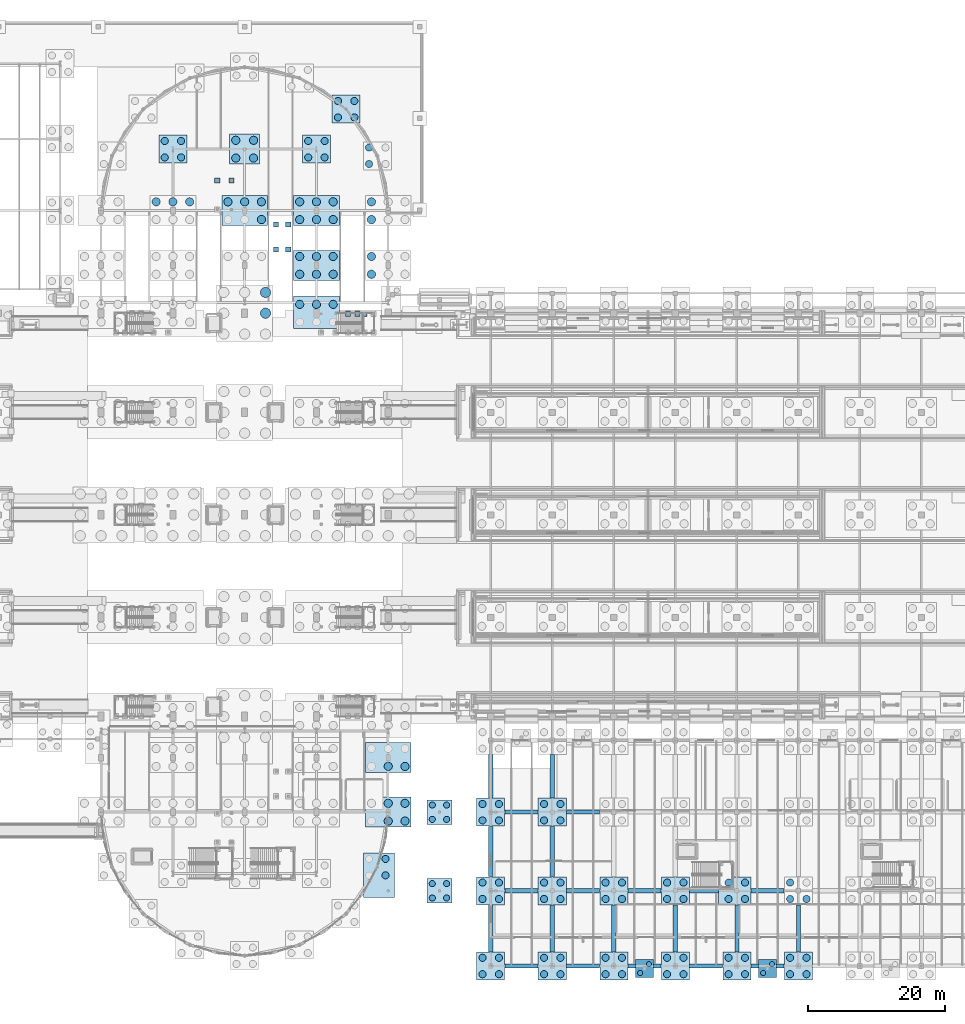
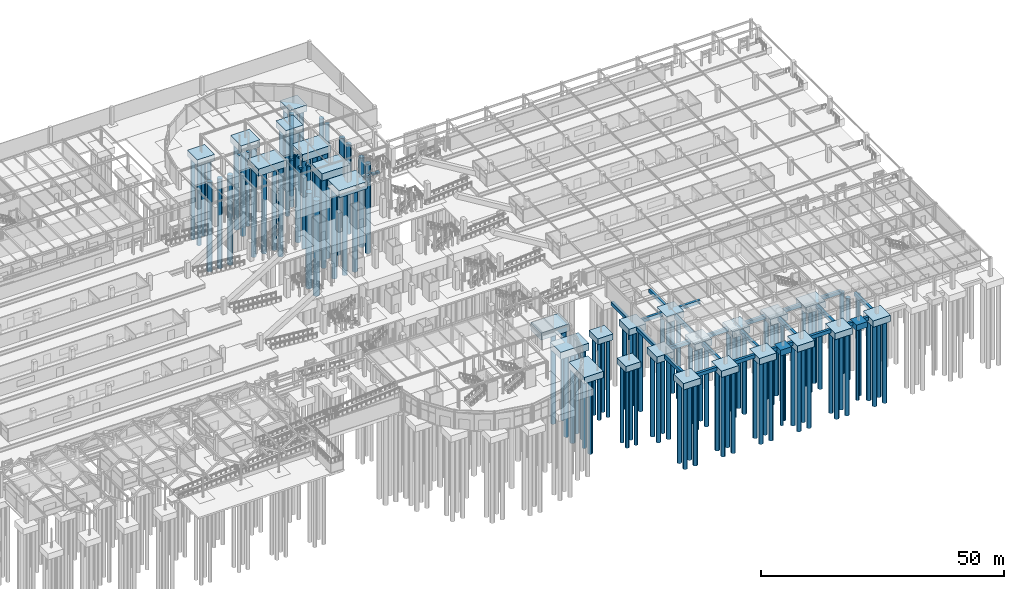
# One storey, part 5 of 160: 121 piles, 61 footings.
"""IFC4 building model written with IfcOpenShell, lengths in metres."""

from ifc_helpers import new_model, si_unit, direction, frame, origin, origin_2d, place, context, subcontext, project, spatial, rectangle, circle, extrude, material, material_profile, profile_set, type_object, element, save


model = new_model("IFC4")

# Units and contexts
model_context = context("Model", 3, precision=1e-05, world=origin(), true_north=direction((0.0, 1.0)))
body_context = subcontext(model_context, "Body", "Model", "MODEL_VIEW")
ifc_project = project(units=[si_unit("LENGTHUNIT", "METRE"), si_unit("AREAUNIT", "SQUARE_METRE"), si_unit("VOLUMEUNIT", "CUBIC_METRE"), si_unit("PLANEANGLEUNIT", "RADIAN"), si_unit("MASSUNIT", "GRAM", prefix="KILO")], contexts=[model_context])

# Site, building, storey
site_placement = place(None, origin())
site = spatial("IfcSite", under=ifc_project, at=site_placement, CompositionType="ELEMENT")
building_placement = place(site_placement, origin())
building = spatial("IfcBuilding", under=site, at=building_placement, Name="Marlcrest Central Station", CompositionType="ELEMENT")
storey_placement = place(building_placement, origin())
storey = spatial("IfcBuildingStorey", under=building, at=storey_placement, Name="L00", CompositionType="ELEMENT", Elevation=0.0)

# Piles
ifc_material_1 = material(Name="Concrete C35/45", Category="concrete")
ifc_material_profile_1 = material_profile(ifc_material_1, circle(Radius=0.375, at=origin_2d()), Name="PILE D750")
ifc_profile_set_1 = profile_set([ifc_material_profile_1], Name="Concrete C35/45")
pile_type_1 = type_object("IfcPileType", Name="BP-01", PredefinedType="BORED", material=ifc_profile_set_1)
for number, where, z_axis, x_axis, name in (
    (1, (165.85009765625, -1.030029296875, -1.300048828125), (0.0, 0.0, -1.0), (1.0, 0.0, 0.0), "pile-BP-01-0317"),
    (2, (167.14990234375, 0.27001953125, -1.300048828125), (0.0, 0.0, -1.0), (1.0, 0.0, 0.0), "pile-BP-01-0318"),
    (3, (183.85009765625, -1.030029296875, -1.300048828125), (0.0, 0.0, -1.0), (1.0, 0.0, 0.0), "pile-BP-01-0319"),
    (4, (185.14990234375, 0.27001953125, -1.300048828125), (0.0, 0.0, -1.0), (1.0, 0.0, 0.0), "pile-BP-01-0320"),
):
    element("IfcPile", number, at=place(storey_placement, frame(where, z_axis=z_axis, x_axis=x_axis)), inside=storey, type_object=pile_type_1, Name=name, PredefinedType="BORED", context=body_context, shape_type="SweptSolid", body=[
        extrude(circle(Radius=0.375, at=origin_2d()), origin(), (0.0, 0.0, 1.0), 18.0),
    ])
ifc_material_profile_2 = material_profile(ifc_material_1, circle(Radius=0.449951171875, at=origin_2d()), Name="PILE D900")
ifc_profile_set_2 = profile_set([ifc_material_profile_2], Name="Concrete C35/45")
pile_type_2 = type_object("IfcPileType", Name="BP-02", PredefinedType="BORED", material=ifc_profile_set_2)
for number, where, z_axis, x_axis, name in (
    (5, (135.449951171875, 9.949951171875, -1.39990234375), (0.0, 0.0, -1.0), (1.0, 0.0, 0.0), "pile-BP-02-1046"),
    (6, (137.550048828125, 9.949951171875, -1.39990234375), (0.0, 0.0, -1.0), (1.0, 0.0, 0.0), "pile-BP-02-1047"),
    (7, (135.449951171875, 12.050048828125, -1.39990234375), (0.0, 0.0, -1.0), (1.0, 0.0, 0.0), "pile-BP-02-1048"),
    (8, (137.550048828125, 12.050048828125, -1.39990234375), (0.0, 0.0, -1.0), (1.0, 0.0, 0.0), "pile-BP-02-1049"),
    (9, (135.449951171875, 21.449951171875, -1.39990234375), (0.0, 0.0, -1.0), (1.0, 0.0, 0.0), "pile-BP-02-1050"),
    (10, (137.550048828125, 21.449951171875, -1.39990234375), (0.0, 0.0, -1.0), (1.0, 0.0, 0.0), "pile-BP-02-1051"),
    (11, (135.449951171875, 23.550048828125, -1.39990234375), (0.0, 0.0, -1.0), (1.0, 0.0, 0.0), "pile-BP-02-1052"),
    (12, (137.550048828125, 23.550048828125, -1.39990234375), (0.0, 0.0, -1.0), (1.0, 0.0, 0.0), "pile-BP-02-1053"),
):
    element("IfcPile", number, at=place(storey_placement, frame(where, z_axis=z_axis, x_axis=x_axis)), inside=storey, type_object=pile_type_2, Name=name, PredefinedType="BORED", context=body_context, shape_type="SweptSolid", body=[
        extrude(circle(Radius=0.449951171875, at=origin_2d()), origin(), (0.0, 0.0, 1.0), 19.5),
    ])
ifc_material_profile_3 = material_profile(ifc_material_1, circle(Radius=0.52490234375, at=origin_2d()), Name="PILE D1050")
ifc_profile_set_3 = profile_set([ifc_material_profile_3], Name="Concrete C35/45")
pile_type_3 = type_object("IfcPileType", Name="BP-03", PredefinedType="BORED", material=ifc_profile_set_3)
for number, where, z_axis, x_axis, name in (
    (13, (142.800048828125, -1.199951171875, -1.5), (0.0, 0.0, -1.0), (1.0, 0.0, 0.0), "pile-BP-03-0169"),
    (14, (145.199951171875, -1.199951171875, -1.5), (0.0, 0.0, -1.0), (1.0, 0.0, 0.0), "pile-BP-03-0170"),
    (15, (142.800048828125, 1.199951171875, -1.5), (0.0, 0.0, -1.0), (1.0, 0.0, 0.0), "pile-BP-03-0171"),
    (16, (145.199951171875, 1.199951171875, -1.5), (0.0, 0.0, -1.0), (1.0, 0.0, 0.0), "pile-BP-03-0172"),
    (17, (142.800048828125, 9.800048828125, -1.5), (0.0, 0.0, -1.0), (1.0, 0.0, 0.0), "pile-BP-03-0173"),
    (18, (145.199951171875, 9.800048828125, -1.5), (0.0, 0.0, -1.0), (1.0, 0.0, 0.0), "pile-BP-03-0174"),
    (19, (142.800048828125, 12.199951171875, -1.5), (0.0, 0.0, -1.0), (1.0, 0.0, 0.0), "pile-BP-03-0175"),
    (20, (145.199951171875, 12.199951171875, -1.5), (0.0, 0.0, -1.0), (1.0, 0.0, 0.0), "pile-BP-03-0176"),
    (21, (142.800048828125, 21.300048828125, -1.5), (0.0, 0.0, -1.0), (1.0, 0.0, 0.0), "pile-BP-03-0177"),
    (22, (145.199951171875, 21.300048828125, -1.5), (0.0, 0.0, -1.0), (1.0, 0.0, 0.0), "pile-BP-03-0178"),
    (23, (142.800048828125, 23.699951171875, -1.5), (0.0, 0.0, -1.0), (1.0, 0.0, 0.0), "pile-BP-03-0179"),
    (24, (145.199951171875, 23.699951171875, -1.5), (0.0, 0.0, -1.0), (1.0, 0.0, 0.0), "pile-BP-03-0180"),
    (25, (151.800048828125, -1.199951171875, -1.5), (0.0, 0.0, -1.0), (1.0, 0.0, 0.0), "pile-BP-03-0185"),
    (26, (154.199951171875, -1.199951171875, -1.5), (0.0, 0.0, -1.0), (1.0, 0.0, 0.0), "pile-BP-03-0186"),
    (27, (151.800048828125, 1.199951171875, -1.5), (0.0, 0.0, -1.0), (1.0, 0.0, 0.0), "pile-BP-03-0187"),
    (28, (154.199951171875, 1.199951171875, -1.5), (0.0, 0.0, -1.0), (1.0, 0.0, 0.0), "pile-BP-03-0188"),
    (29, (151.800048828125, 9.800048828125, -1.5), (0.0, 0.0, -1.0), (1.0, 0.0, 0.0), "pile-BP-03-0189"),
    (30, (154.199951171875, 9.800048828125, -1.5), (0.0, 0.0, -1.0), (1.0, 0.0, 0.0), "pile-BP-03-0190"),
    (31, (151.800048828125, 12.199951171875, -1.5), (0.0, 0.0, -1.0), (1.0, 0.0, 0.0), "pile-BP-03-0191"),
    (32, (154.199951171875, 12.199951171875, -1.5), (0.0, 0.0, -1.0), (1.0, 0.0, 0.0), "pile-BP-03-0192"),
    (33, (151.800048828125, 21.300048828125, -1.5), (0.0, 0.0, -1.0), (1.0, 0.0, 0.0), "pile-BP-03-0193"),
    (34, (154.199951171875, 21.300048828125, -1.5), (0.0, 0.0, -1.0), (1.0, 0.0, 0.0), "pile-BP-03-0194"),
    (35, (151.800048828125, 23.699951171875, -1.5), (0.0, 0.0, -1.0), (1.0, 0.0, 0.0), "pile-BP-03-0195"),
    (36, (154.199951171875, 23.699951171875, -1.5), (0.0, 0.0, -1.0), (1.0, 0.0, 0.0), "pile-BP-03-0196"),
    (37, (160.800048828125, -1.199951171875, -1.5), (0.0, 0.0, -1.0), (1.0, 0.0, 0.0), "pile-BP-03-0201"),
    (38, (163.199951171875, -1.199951171875, -1.5), (0.0, 0.0, -1.0), (1.0, 0.0, 0.0), "pile-BP-03-0202"),
    (39, (160.800048828125, 1.199951171875, -1.5), (0.0, 0.0, -1.0), (1.0, 0.0, 0.0), "pile-BP-03-0203"),
    (40, (163.199951171875, 1.199951171875, -1.5), (0.0, 0.0, -1.0), (1.0, 0.0, 0.0), "pile-BP-03-0204"),
    (41, (160.800048828125, 9.800048828125, -1.5), (0.0, 0.0, -1.0), (1.0, 0.0, 0.0), "pile-BP-03-0205"),
    (42, (163.199951171875, 9.800048828125, -1.5), (0.0, 0.0, -1.0), (1.0, 0.0, 0.0), "pile-BP-03-0206"),
    (43, (160.800048828125, 12.199951171875, -1.5), (0.0, 0.0, -1.0), (1.0, 0.0, 0.0), "pile-BP-03-0207"),
    (44, (163.199951171875, 12.199951171875, -1.5), (0.0, 0.0, -1.0), (1.0, 0.0, 0.0), "pile-BP-03-0208"),
    (45, (169.800048828125, -1.199951171875, -1.5), (0.0, 0.0, -1.0), (1.0, 0.0, 0.0), "pile-BP-03-0217"),
    (46, (172.199951171875, -1.199951171875, -1.5), (0.0, 0.0, -1.0), (1.0, 0.0, 0.0), "pile-BP-03-0218"),
    (47, (169.800048828125, 1.199951171875, -1.5), (0.0, 0.0, -1.0), (1.0, 0.0, 0.0), "pile-BP-03-0219"),
    (48, (172.199951171875, 1.199951171875, -1.5), (0.0, 0.0, -1.0), (1.0, 0.0, 0.0), "pile-BP-03-0220"),
    (49, (169.800048828125, 9.800048828125, -1.5), (0.0, 0.0, -1.0), (1.0, 0.0, 0.0), "pile-BP-03-0221"),
    (50, (172.199951171875, 9.800048828125, -1.5), (0.0, 0.0, -1.0), (1.0, 0.0, 0.0), "pile-BP-03-0222"),
    (51, (169.800048828125, 12.199951171875, -1.5), (0.0, 0.0, -1.0), (1.0, 0.0, 0.0), "pile-BP-03-0223"),
    (52, (172.199951171875, 12.199951171875, -1.5), (0.0, 0.0, -1.0), (1.0, 0.0, 0.0), "pile-BP-03-0224"),
    (53, (178.800048828125, -1.199951171875, -1.5), (0.0, 0.0, -1.0), (1.0, 0.0, 0.0), "pile-BP-03-0233"),
    (54, (181.199951171875, -1.199951171875, -1.5), (0.0, 0.0, -1.0), (1.0, 0.0, 0.0), "pile-BP-03-0234"),
    (55, (178.800048828125, 1.199951171875, -1.5), (0.0, 0.0, -1.0), (1.0, 0.0, 0.0), "pile-BP-03-0235"),
    (56, (181.199951171875, 1.199951171875, -1.5), (0.0, 0.0, -1.0), (1.0, 0.0, 0.0), "pile-BP-03-0236"),
    (57, (178.800048828125, 9.800048828125, -1.5), (0.0, 0.0, -1.0), (1.0, 0.0, 0.0), "pile-BP-03-0237"),
    (58, (181.199951171875, 9.800048828125, -1.5), (0.0, 0.0, -1.0), (1.0, 0.0, 0.0), "pile-BP-03-0238"),
    (59, (178.800048828125, 12.199951171875, -1.5), (0.0, 0.0, -1.0), (1.0, 0.0, 0.0), "pile-BP-03-0239"),
    (60, (181.199951171875, 12.199951171875, -1.5), (0.0, 0.0, -1.0), (1.0, 0.0, 0.0), "pile-BP-03-0240"),
    (61, (187.800048828125, -1.199951171875, -1.5), (0.0, 0.0, -1.0), (1.0, 0.0, 0.0), "pile-BP-03-0249"),
    (62, (190.199951171875, -1.199951171875, -1.5), (0.0, 0.0, -1.0), (1.0, 0.0, 0.0), "pile-BP-03-0250"),
    (63, (187.800048828125, 1.199951171875, -1.5), (0.0, 0.0, -1.0), (1.0, 0.0, 0.0), "pile-BP-03-0251"),
    (64, (190.199951171875, 1.199951171875, -1.5), (0.0, 0.0, -1.0), (1.0, 0.0, 0.0), "pile-BP-03-0252"),
    (65, (187.800048828125, 9.800048828125, -1.5), (0.0, 0.0, -1.0), (1.0, 0.0, 0.0), "pile-BP-03-0253"),
    (66, (190.199951171875, 9.800048828125, -1.5), (0.0, 0.0, -1.0), (1.0, 0.0, 0.0), "pile-BP-03-0254"),
    (67, (187.800048828125, 12.199951171875, -1.5), (0.0, 0.0, -1.0), (1.0, 0.0, 0.0), "pile-BP-03-0255"),
    (68, (128.60107421875, 13.263916015625, -1.5), (0.0, 0.0, -1.0), (1.0, 0.0, 0.0), "pile-BP-03-0991"),
    (69, (128.60107421875, 15.6640625, -1.5), (0.0, 0.0, -1.0), (1.0, 0.0, 0.0), "pile-BP-03-0993"),
    (70, (121.64892578125, 124.14892578125, -1.5), (0.0, 0.0, -1.0), (1.0, 0.0, 0.0), "pile-BP-03-1026"),
    (71, (124.049072265625, 124.14892578125, -1.5), (0.0, 0.0, -1.0), (1.0, 0.0, 0.0), "pile-BP-03-1027"),
    (72, (121.64892578125, 126.549072265625, -1.5), (0.0, 0.0, -1.0), (1.0, 0.0, 0.0), "pile-BP-03-1028"),
    (73, (124.049072265625, 126.549072265625, -1.5), (0.0, 0.0, -1.0), (1.0, 0.0, 0.0), "pile-BP-03-1029"),
    (74, (126.200927734375, 117.3359375, -1.5), (0.0, 0.0, -1.0), (1.0, 0.0, 0.0), "pile-BP-03-1030"),
    (75, (126.200927734375, 119.736083984375, -1.5), (0.0, 0.0, -1.0), (1.0, 0.0, 0.0), "pile-BP-03-1032"),
    (76, (96.300048828125, 118.300048828125, -1.5), (0.0, 0.0, -1.0), (1.0, 0.0, 0.0), "pile-BP-03-1034"),
    (77, (98.699951171875, 118.300048828125, -1.5), (0.0, 0.0, -1.0), (1.0, 0.0, 0.0), "pile-BP-03-1035"),
    (78, (96.300048828125, 120.699951171875, -1.5), (0.0, 0.0, -1.0), (1.0, 0.0, 0.0), "pile-BP-03-1036"),
    (79, (98.699951171875, 120.699951171875, -1.5), (0.0, 0.0, -1.0), (1.0, 0.0, 0.0), "pile-BP-03-1037"),
    (80, (117.300048828125, 118.300048828125, -1.5), (0.0, 0.0, -1.0), (1.0, 0.0, 0.0), "pile-BP-03-1042"),
    (81, (119.699951171875, 118.300048828125, -1.5), (0.0, 0.0, -1.0), (1.0, 0.0, 0.0), "pile-BP-03-1043"),
    (82, (117.300048828125, 120.699951171875, -1.5), (0.0, 0.0, -1.0), (1.0, 0.0, 0.0), "pile-BP-03-1044"),
    (83, (119.699951171875, 120.699951171875, -1.5), (0.0, 0.0, -1.0), (1.0, 0.0, 0.0), "pile-BP-03-1045"),
):
    element("IfcPile", number, at=place(storey_placement, frame(where, z_axis=z_axis, x_axis=x_axis)), inside=storey, type_object=pile_type_3, Name=name, PredefinedType="BORED", context=body_context, shape_type="SweptSolid", body=[
        extrude(circle(Radius=0.52490234375, at=origin_2d()), origin(), (0.0, 0.0, 1.0), 20.5),
    ])
ifc_material_profile_4 = material_profile(ifc_material_1, circle(Radius=0.60009765625, at=origin_2d()), Name="PILE D1200")
ifc_profile_set_4 = profile_set([ifc_material_profile_4], Name="Concrete C35/45")
pile_type_4 = type_object("IfcPileType", Name="BP-04", PredefinedType="BORED", material=ifc_profile_set_4)
for number, where, z_axis, x_axis, name in (
    (84, (116.050048828125, 96.800048828125, -1.699951171875), (0.0, 0.0, -1.0), (1.0, 0.0, 0.0), "pile-BP-04-0834"),
    (85, (118.5, 96.800048828125, -1.699951171875), (0.0, 0.0, -1.0), (1.0, 0.0, 0.0), "pile-BP-04-0835"),
    (86, (120.949951171875, 96.800048828125, -1.699951171875), (0.0, 0.0, -1.0), (1.0, 0.0, 0.0), "pile-BP-04-0836"),
    (87, (129.0, 21.199951171875, -1.699951171875), (0.0, 0.0, -1.0), (1.0, 0.0, 0.0), "pile-BP-04-0888"),
    (88, (131.449951171875, 21.199951171875, -1.699951171875), (0.0, 0.0, -1.0), (1.0, 0.0, 0.0), "pile-BP-04-0889"),
    (89, (129.0, 23.800048828125, -1.699951171875), (0.0, 0.0, -1.0), (1.0, 0.0, 0.0), "pile-BP-04-0891"),
    (90, (131.449951171875, 23.800048828125, -1.699951171875), (0.0, 0.0, -1.0), (1.0, 0.0, 0.0), "pile-BP-04-0892"),
    (91, (129.0, 29.199951171875, -1.699951171875), (0.0, 0.0, -1.0), (1.0, 0.0, 0.0), "pile-BP-04-0906"),
    (92, (131.449951171875, 29.199951171875, -1.699951171875), (0.0, 0.0, -1.0), (1.0, 0.0, 0.0), "pile-BP-04-0907"),
    (93, (116.050048828125, 101.199951171875, -1.699951171875), (0.0, 0.0, -1.0), (1.0, 0.0, 0.0), "pile-BP-04-0926"),
    (94, (118.5, 101.199951171875, -1.699951171875), (0.0, 0.0, -1.0), (1.0, 0.0, 0.0), "pile-BP-04-0927"),
    (95, (120.949951171875, 101.199951171875, -1.699951171875), (0.0, 0.0, -1.0), (1.0, 0.0, 0.0), "pile-BP-04-0928"),
    (96, (116.050048828125, 103.800048828125, -1.699951171875), (0.0, 0.0, -1.0), (1.0, 0.0, 0.0), "pile-BP-04-0929"),
    (97, (118.5, 103.800048828125, -1.699951171875), (0.0, 0.0, -1.0), (1.0, 0.0, 0.0), "pile-BP-04-0930"),
    (98, (120.949951171875, 103.800048828125, -1.699951171875), (0.0, 0.0, -1.0), (1.0, 0.0, 0.0), "pile-BP-04-0931"),
    (99, (126.550048828125, 101.199951171875, -1.699951171875), (0.0, 0.0, -1.0), (1.0, 0.0, 0.0), "pile-BP-04-0932"),
    (100, (126.550048828125, 103.800048828125, -1.699951171875), (0.0, 0.0, -1.0), (1.0, 0.0, 0.0), "pile-BP-04-0935"),
    (101, (95.050048828125, 111.800048828125, -1.699951171875), (0.0, 0.0, -1.0), (1.0, 0.0, 0.0), "pile-BP-04-0945"),
    (102, (97.5, 111.800048828125, -1.699951171875), (0.0, 0.0, -1.0), (1.0, 0.0, 0.0), "pile-BP-04-0946"),
    (103, (99.949951171875, 111.800048828125, -1.699951171875), (0.0, 0.0, -1.0), (1.0, 0.0, 0.0), "pile-BP-04-0947"),
    (104, (110.449951171875, 109.199951171875, -1.699951171875), (0.0, 0.0, -1.0), (1.0, 0.0, 0.0), "pile-BP-04-0950"),
    (105, (105.550048828125, 111.800048828125, -1.699951171875), (0.0, 0.0, -1.0), (1.0, 0.0, 0.0), "pile-BP-04-0951"),
    (106, (108.0, 111.800048828125, -1.699951171875), (0.0, 0.0, -1.0), (1.0, 0.0, 0.0), "pile-BP-04-0952"),
    (107, (110.449951171875, 111.800048828125, -1.699951171875), (0.0, 0.0, -1.0), (1.0, 0.0, 0.0), "pile-BP-04-0953"),
    (108, (116.050048828125, 109.199951171875, -1.699951171875), (0.0, 0.0, -1.0), (1.0, 0.0, 0.0), "pile-BP-04-0954"),
    (109, (118.5, 109.199951171875, -1.699951171875), (0.0, 0.0, -1.0), (1.0, 0.0, 0.0), "pile-BP-04-0955"),
    (110, (120.949951171875, 109.199951171875, -1.699951171875), (0.0, 0.0, -1.0), (1.0, 0.0, 0.0), "pile-BP-04-0956"),
    (111, (116.050048828125, 111.800048828125, -1.699951171875), (0.0, 0.0, -1.0), (1.0, 0.0, 0.0), "pile-BP-04-0957"),
    (112, (118.5, 111.800048828125, -1.699951171875), (0.0, 0.0, -1.0), (1.0, 0.0, 0.0), "pile-BP-04-0958"),
    (113, (120.949951171875, 111.800048828125, -1.699951171875), (0.0, 0.0, -1.0), (1.0, 0.0, 0.0), "pile-BP-04-0959"),
    (114, (126.550048828125, 109.199951171875, -1.699951171875), (0.0, 0.0, -1.0), (1.0, 0.0, 0.0), "pile-BP-04-0960"),
    (115, (126.550048828125, 111.800048828125, -1.699951171875), (0.0, 0.0, -1.0), (1.0, 0.0, 0.0), "pile-BP-04-0963"),
):
    element("IfcPile", number, at=place(storey_placement, frame(where, z_axis=z_axis, x_axis=x_axis)), inside=storey, type_object=pile_type_4, Name=name, PredefinedType="BORED", context=body_context, shape_type="SweptSolid", body=[
        extrude(circle(Radius=0.60009765625, at=origin_2d()), origin(), (0.0, 0.0, 1.0), 22.5),
    ])
for number, where, z_axis, x_axis, name in (
    (116, (106.699951171875, 118.199951171875, -1.699951171875), (0.0, 0.0, -1.0), (1.0, 0.0, 0.0), "pile-BP-04-1038"),
    (117, (109.300048828125, 118.199951171875, -1.699951171875), (0.0, 0.0, -1.0), (1.0, 0.0, 0.0), "pile-BP-04-1039"),
    (118, (106.699951171875, 120.800048828125, -1.699951171875), (0.0, 0.0, -1.0), (1.0, 0.0, 0.0), "pile-BP-04-1040"),
    (119, (109.300048828125, 120.800048828125, -1.699951171875), (0.0, 0.0, -1.0), (1.0, 0.0, 0.0), "pile-BP-04-1041"),
):
    element("IfcPile", number, at=place(storey_placement, frame(where, z_axis=z_axis, x_axis=x_axis)), inside=storey, type_object=pile_type_4, Name=name, PredefinedType="BORED", context=body_context, shape_type="SweptSolid", body=[
        extrude(circle(Radius=0.60009765625, at=origin_2d()), origin(), (0.0, 0.0, 1.0), 21.5),
    ])
ifc_material_profile_5 = material_profile(ifc_material_1, circle(Radius=0.75, at=origin_2d()), Name="PILE D1500")
ifc_profile_set_5 = profile_set([ifc_material_profile_5], Name="Concrete C35/45")
pile_type_5 = type_object("IfcPileType", Name="BP-06", PredefinedType="BORED", material=ifc_profile_set_5)
for number, where, z_axis, x_axis, name in (
    (120, (111.050048828125, 95.5, -1.89990234375), (0.0, 0.0, -1.0), (1.0, 0.0, 0.0), "pile-BP-06-0801"),
    (121, (111.050048828125, 98.550048828125, -1.89990234375), (0.0, 0.0, -1.0), (1.0, 0.0, 0.0), "pile-BP-06-0804"),
):
    element("IfcPile", number, at=place(storey_placement, frame(where, z_axis=z_axis, x_axis=x_axis)), inside=storey, type_object=pile_type_5, Name=name, PredefinedType="BORED", context=body_context, shape_type="SweptSolid", body=[
        extrude(circle(Radius=0.75, at=origin_2d()), origin(), (0.0, 0.0, 1.0), 24.0),
    ])

# Footings
ifc_material_2 = material(Name="Concrete C40/50", Category="concrete")
footing_type_1 = type_object("IfcFootingType", Name="GB-01", PredefinedType="FOOTING_BEAM", material=ifc_material_2)
for number, where, z_axis, x_axis, name in (
    (122, (148.5, 0.0, -0.89990234375), (0.0, 0.0, 1.0), (1.0, 0.0, 0.0), "ftg-gb-0060"),
    (123, (148.5, 11.0, -0.89990234375), (0.0, 0.0, 1.0), (1.0, 0.0, 0.0), "ftg-gb-0061"),
    (124, (148.5, 22.5, -0.89990234375), (0.0, 0.0, 1.0), (1.0, 0.0, 0.0), "ftg-gb-0062"),
    (125, (157.5, 0.0, -0.89990234375), (0.0, 0.0, 1.0), (1.0, 0.0, 0.0), "ftg-gb-0064"),
    (126, (157.5, 11.0, -0.89990234375), (0.0, 0.0, 1.0), (1.0, 0.0, 0.0), "ftg-gb-0065"),
    (127, (157.5, 22.5, -0.89990234375), (0.0, 0.0, 1.0), (1.0, 0.0, 0.0), "ftg-gb-0066"),
):
    element("IfcFooting", number, at=place(storey_placement, frame(where, z_axis=z_axis, x_axis=x_axis)), inside=storey, type_object=footing_type_1, Name=name, PredefinedType="FOOTING_BEAM", context=body_context, shape_type="SweptSolid", body=[
        extrude(rectangle(XDim=4.860107421875, YDim=0.60009765625, at=origin_2d()), origin(), (0.0, 0.0, 1.0), 0.89990234375),
    ])
for number, where, z_axis, x_axis, name in (
    (128, (164.6298828125, 0.0, -0.89990234375), (0.0, 0.0, 1.0), (1.0, 0.0, 0.0), "ftg-gb-0068"),
    (129, (168.3701171875, 0.0, -0.89990234375), (0.0, 0.0, 1.0), (1.0, 0.0, 0.0), "ftg-gb-0068"),
):
    element("IfcFooting", number, at=place(storey_placement, frame(where, z_axis=z_axis, x_axis=x_axis)), inside=storey, type_object=footing_type_1, Name=name, PredefinedType="FOOTING_BEAM", context=body_context, shape_type="SweptSolid", body=[
        extrude(rectangle(XDim=1.1201171875, YDim=0.60009765625, at=origin_2d()), origin(), (0.0, 0.0, 1.0), 0.89990234375),
    ])
for number, where, z_axis, x_axis, name in (
    (130, (166.5, 11.0, -0.89990234375), (0.0, 0.0, 1.0), (1.0, 0.0, 0.0), "ftg-gb-0069"),
    (131, (175.5, 0.0, -0.89990234375), (0.0, 0.0, 1.0), (1.0, 0.0, 0.0), "ftg-gb-0072"),
):
    element("IfcFooting", number, at=place(storey_placement, frame(where, z_axis=z_axis, x_axis=x_axis)), inside=storey, type_object=footing_type_1, Name=name, PredefinedType="FOOTING_BEAM", context=body_context, shape_type="SweptSolid", body=[
        extrude(rectangle(XDim=4.860107421875, YDim=0.60009765625, at=origin_2d()), origin(), (0.0, 0.0, 1.0), 0.89990234375),
    ])
footing_1_placement = place(storey_placement, frame((175.1875, 11.0, -0.89990234375), z_axis=(0.0, 0.0, 1.0), x_axis=(1.0, 0.0, 0.0)))
element("IfcFooting", 132, at=footing_1_placement, inside=storey, type_object=footing_type_1, Name="ftg-gb-0073", PredefinedType="FOOTING_BEAM", context=body_context, shape_type="SweptSolid", body=[
    extrude(rectangle(XDim=4.235107421875, YDim=0.60009765625, at=origin_2d()), origin(), (0.0, 0.0, 1.0), 0.89990234375),
])
for number, where, z_axis, x_axis, name in (
    (133, (182.6298828125, 0.0, -0.89990234375), (0.0, 0.0, 1.0), (1.0, 0.0, 0.0), "ftg-gb-0076"),
    (134, (186.3701171875, 0.0, -0.89990234375), (0.0, 0.0, 1.0), (1.0, 0.0, 0.0), "ftg-gb-0076"),
):
    element("IfcFooting", number, at=place(storey_placement, frame(where, z_axis=z_axis, x_axis=x_axis)), inside=storey, type_object=footing_type_1, Name=name, PredefinedType="FOOTING_BEAM", context=body_context, shape_type="SweptSolid", body=[
        extrude(rectangle(XDim=1.1201171875, YDim=0.60009765625, at=origin_2d()), origin(), (0.0, 0.0, 1.0), 0.89990234375),
    ])
footing_2_placement = place(storey_placement, frame((184.5, 11.0, -0.89990234375), z_axis=(0.0, 0.0, 1.0), x_axis=(1.0, 0.0, 0.0)))
element("IfcFooting", 135, at=footing_2_placement, inside=storey, type_object=footing_type_1, Name="ftg-gb-0077", PredefinedType="FOOTING_BEAM", context=body_context, shape_type="SweptSolid", body=[
    extrude(rectangle(XDim=4.860107421875, YDim=0.60009765625, at=origin_2d()), origin(), (0.0, 0.0, 1.0), 0.89990234375),
])
footing_3_placement = place(storey_placement, frame((144.0, 5.5, -0.89990234375), z_axis=(0.0, 0.0, 1.0), x_axis=(1.0, 0.0, 0.0)))
element("IfcFooting", 136, at=footing_3_placement, inside=storey, type_object=footing_type_1, Name="ftg-gb-0092", PredefinedType="FOOTING_BEAM", context=body_context, shape_type="SweptSolid", body=[
    extrude(rectangle(XDim=0.60009765625, YDim=6.860107421875, at=origin_2d()), origin(), (0.0, 0.0, 1.0), 0.89990234375),
])
footing_4_placement = place(storey_placement, frame((144.0, 16.75, -0.89990234375), z_axis=(0.0, 0.0, 1.0), x_axis=(1.0, 0.0, 0.0)))
element("IfcFooting", 137, at=footing_4_placement, inside=storey, type_object=footing_type_1, Name="ftg-gb-0093", PredefinedType="FOOTING_BEAM", context=body_context, shape_type="SweptSolid", body=[
    extrude(rectangle(XDim=0.60009765625, YDim=7.360107421875, at=origin_2d()), origin(), (0.0, 0.0, 1.0), 0.89990234375),
])
footing_5_placement = place(storey_placement, frame((144.0, 27.75, -0.89990234375), z_axis=(0.0, 0.0, 1.0), x_axis=(1.0, 0.0, 0.0)))
element("IfcFooting", 138, at=footing_5_placement, inside=storey, type_object=footing_type_1, Name="ftg-gb-0094", PredefinedType="FOOTING_BEAM", context=body_context, shape_type="SweptSolid", body=[
    extrude(rectangle(XDim=0.60009765625, YDim=6.360107421875, at=origin_2d()), origin(), (0.0, 0.0, 1.0), 0.89990234375),
])
footing_6_placement = place(storey_placement, frame((153.0, 5.5, -0.89990234375), z_axis=(0.0, 0.0, 1.0), x_axis=(1.0, 0.0, 0.0)))
element("IfcFooting", 139, at=footing_6_placement, inside=storey, type_object=footing_type_1, Name="ftg-gb-0095", PredefinedType="FOOTING_BEAM", context=body_context, shape_type="SweptSolid", body=[
    extrude(rectangle(XDim=0.60009765625, YDim=6.860107421875, at=origin_2d()), origin(), (0.0, 0.0, 1.0), 0.89990234375),
])
footing_7_placement = place(storey_placement, frame((153.0, 16.75, -0.89990234375), z_axis=(0.0, 0.0, 1.0), x_axis=(1.0, 0.0, 0.0)))
element("IfcFooting", 140, at=footing_7_placement, inside=storey, type_object=footing_type_1, Name="ftg-gb-0096", PredefinedType="FOOTING_BEAM", context=body_context, shape_type="SweptSolid", body=[
    extrude(rectangle(XDim=0.60009765625, YDim=7.360107421875, at=origin_2d()), origin(), (0.0, 0.0, 1.0), 0.89990234375),
])
footing_8_placement = place(storey_placement, frame((153.0, 27.75, -0.89990234375), z_axis=(0.0, 0.0, 1.0), x_axis=(1.0, 0.0, 0.0)))
element("IfcFooting", 141, at=footing_8_placement, inside=storey, type_object=footing_type_1, Name="ftg-gb-0097", PredefinedType="FOOTING_BEAM", context=body_context, shape_type="SweptSolid", body=[
    extrude(rectangle(XDim=0.60009765625, YDim=6.360107421875, at=origin_2d()), origin(), (0.0, 0.0, 1.0), 0.89990234375),
])
for number, where, z_axis, x_axis, name in (
    (142, (162.0, 5.5, -0.89990234375), (0.0, 0.0, 1.0), (1.0, 0.0, 0.0), "ftg-gb-0098"),
    (143, (171.0, 5.5, -0.89990234375), (0.0, 0.0, 1.0), (1.0, 0.0, 0.0), "ftg-gb-0101"),
    (144, (180.0, 5.5, -0.89990234375), (0.0, 0.0, 1.0), (1.0, 0.0, 0.0), "ftg-gb-0104"),
    (145, (189.0, 5.5, -0.89990234375), (0.0, 0.0, 1.0), (1.0, 0.0, 0.0), "ftg-gb-0107"),
):
    element("IfcFooting", number, at=place(storey_placement, frame(where, z_axis=z_axis, x_axis=x_axis)), inside=storey, type_object=footing_type_1, Name=name, PredefinedType="FOOTING_BEAM", context=body_context, shape_type="SweptSolid", body=[
        extrude(rectangle(XDim=0.60009765625, YDim=6.860107421875, at=origin_2d()), origin(), (0.0, 0.0, 1.0), 0.89990234375),
    ])
footing_type_2 = type_object("IfcFootingType", Name="PC-01", PredefinedType="PILE_CAP", material=ifc_material_2)
for number, where, z_axis, x_axis, name in (
    (146, (166.5, -0.3798828125, -1.39990234375), (0.0, 0.0, 1.0), (1.0, 0.0, 0.0), "ftg-cap-0079"),
    (147, (184.5, -0.3798828125, -1.39990234375), (0.0, 0.0, 1.0), (1.0, 0.0, 0.0), "ftg-cap-0080"),
):
    element("IfcFooting", number, at=place(storey_placement, frame(where, z_axis=z_axis, x_axis=x_axis)), inside=storey, type_object=footing_type_2, Name=name, PredefinedType="PILE_CAP", context=body_context, shape_type="SweptSolid", body=[
        extrude(rectangle(XDim=2.610107421875, YDim=2.610107421875, at=origin_2d()), origin(), (0.0, 0.0, 1.0), 1.39990234375),
    ])
footing_type_3 = type_object("IfcFootingType", Name="PC-02", PredefinedType="PILE_CAP", material=ifc_material_2)
for number, where, z_axis, x_axis, name in (
    (148, (136.5, 11.0, -1.5), (0.0, 0.0, 1.0), (1.0, 0.0, 0.0), "ftg-cap-0245"),
    (149, (136.5, 22.5, -1.5), (0.0, 0.0, 1.0), (1.0, 0.0, 0.0), "ftg-cap-0246"),
):
    element("IfcFooting", number, at=place(storey_placement, frame(where, z_axis=z_axis, x_axis=x_axis)), inside=storey, type_object=footing_type_3, Name=name, PredefinedType="PILE_CAP", context=body_context, shape_type="SweptSolid", body=[
        extrude(rectangle(XDim=3.60009765625, YDim=3.60009765625, at=origin_2d()), origin(), (0.0, 0.0, 1.0), 1.5),
    ])
footing_type_4 = type_object("IfcFootingType", Name="PC-03", PredefinedType="PILE_CAP", material=ifc_material_2)
for number, where, z_axis, x_axis, name in (
    (150, (144.0, 0.0, -1.60009765625), (0.0, 0.0, 1.0), (1.0, 0.0, 0.0), "ftg-cap-0041"),
    (151, (144.0, 11.0, -1.60009765625), (0.0, 0.0, 1.0), (1.0, 0.0, 0.0), "ftg-cap-0042"),
    (152, (144.0, 22.5, -1.60009765625), (0.0, 0.0, 1.0), (1.0, 0.0, 0.0), "ftg-cap-0043"),
    (153, (153.0, 0.0, -1.60009765625), (0.0, 0.0, 1.0), (1.0, 0.0, 0.0), "ftg-cap-0045"),
    (154, (153.0, 11.0, -1.60009765625), (0.0, 0.0, 1.0), (1.0, 0.0, 0.0), "ftg-cap-0046"),
    (155, (153.0, 22.5, -1.60009765625), (0.0, 0.0, 1.0), (1.0, 0.0, 0.0), "ftg-cap-0047"),
    (156, (162.0, 0.0, -1.60009765625), (0.0, 0.0, 1.0), (1.0, 0.0, 0.0), "ftg-cap-0049"),
    (157, (162.0, 11.0, -1.60009765625), (0.0, 0.0, 1.0), (1.0, 0.0, 0.0), "ftg-cap-0050"),
    (158, (171.0, 0.0, -1.60009765625), (0.0, 0.0, 1.0), (1.0, 0.0, 0.0), "ftg-cap-0053"),
    (159, (171.0, 11.0, -1.60009765625), (0.0, 0.0, 1.0), (1.0, 0.0, 0.0), "ftg-cap-0054"),
    (160, (180.0, 0.0, -1.60009765625), (0.0, 0.0, 1.0), (1.0, 0.0, 0.0), "ftg-cap-0057"),
):
    element("IfcFooting", number, at=place(storey_placement, frame(where, z_axis=z_axis, x_axis=x_axis)), inside=storey, type_object=footing_type_4, Name=name, PredefinedType="PILE_CAP", context=body_context, shape_type="SweptSolid", body=[
        extrude(rectangle(XDim=4.10009765625, YDim=4.10009765625, at=origin_2d()), origin(), (0.0, 0.0, 1.0), 1.60009765625),
    ])
footing_9_placement = place(storey_placement, frame((179.679931640625, 11.0, -1.60009765625), z_axis=(0.0, 0.0, 1.0), x_axis=(1.0, 0.0, 0.0)))
element("IfcFooting", 161, at=footing_9_placement, inside=storey, type_object=footing_type_4, Name="ftg-cap-0058", PredefinedType="PILE_CAP", context=body_context, shape_type="SweptSolid", body=[
    extrude(rectangle(XDim=4.739990234375, YDim=4.10009765625, at=origin_2d()), origin(), (0.0, 0.0, 1.0), 1.60009765625),
])
footing_10_placement = place(storey_placement, frame((189.0, 0.0, -1.60009765625), z_axis=(0.0, 0.0, 1.0), x_axis=(1.0, 0.0, 0.0)))
element("IfcFooting", 162, at=footing_10_placement, inside=storey, type_object=footing_type_4, Name="ftg-cap-0061", PredefinedType="PILE_CAP", context=body_context, shape_type="SweptSolid", body=[
    extrude(rectangle(XDim=4.10009765625, YDim=4.10009765625, at=origin_2d()), origin(), (0.0, 0.0, 1.0), 1.60009765625),
])
footing_11_placement = place(storey_placement, frame((127.64990234375, 13.281982421875, -1.60009765625), z_axis=(0.0, 0.0, 1.0), x_axis=(1.0, 0.0, 0.0)))
element("IfcFooting", 163, at=footing_11_placement, inside=storey, type_object=footing_type_4, Name="ftg-cap-0231", PredefinedType="PILE_CAP", context=body_context, shape_type="SweptSolid", body=[
    extrude(rectangle(XDim=4.59912109375, YDim=6.464111328125, at=origin_2d()), origin(), (0.0, 0.0, 1.0), 1.60009765625),
])
for number, where, z_axis, x_axis, name in (
    (164, (122.84912109375, 125.34912109375, -1.60009765625), (0.0, 0.0, 1.0), (1.0, 0.0, 0.0), "ftg-cap-0240"),
    (165, (97.5, 119.5, -1.60009765625), (0.0, 0.0, 1.0), (1.0, 0.0, 0.0), "ftg-cap-0242"),
    (166, (118.5, 119.5, -1.60009765625), (0.0, 0.0, 1.0), (1.0, 0.0, 0.0), "ftg-cap-0244"),
):
    element("IfcFooting", number, at=place(storey_placement, frame(where, z_axis=z_axis, x_axis=x_axis)), inside=storey, type_object=footing_type_4, Name=name, PredefinedType="PILE_CAP", context=body_context, shape_type="SweptSolid", body=[
        extrude(rectangle(XDim=4.10009765625, YDim=4.10009765625, at=origin_2d()), origin(), (0.0, 0.0, 1.0), 1.60009765625),
    ])
footing_type_5 = type_object("IfcFootingType", Name="PC-04", PredefinedType="PILE_CAP", material=ifc_material_2)
footing_12_placement = place(storey_placement, frame((108.0, 119.5, -1.7998046875), z_axis=(0.0, 0.0, 1.0), x_axis=(1.0, 0.0, 0.0)))
element("IfcFooting", 167, at=footing_12_placement, inside=storey, type_object=footing_type_5, Name="ftg-cap-0243", PredefinedType="PILE_CAP", context=body_context, shape_type="SweptSolid", body=[
    extrude(rectangle(XDim=4.39990234375, YDim=4.39990234375, at=origin_2d()), origin(), (0.0, 0.0, 1.0), 1.800048828125),
])
footing_type_6 = type_object("IfcFootingType", Name="PC-05", PredefinedType="PILE_CAP", material=ifc_material_2)
footing_13_placement = place(storey_placement, frame((118.5, 95.675048828125, -1.7998046875), z_axis=(0.0, 0.0, 1.0), x_axis=(1.0, 0.0, 0.0)))
element("IfcFooting", 168, at=footing_13_placement, inside=storey, type_object=footing_type_6, Name="ftg-cap-0202", PredefinedType="PILE_CAP", context=body_context, shape_type="SweptSolid", body=[
    extrude(rectangle(XDim=6.699951171875, YDim=4.75, at=origin_2d()), origin(), (0.0, 0.0, 1.0), 1.800048828125),
])
for number, where, z_axis, x_axis, name in (
    (169, (129.0, 22.5, -1.7998046875), (0.0, 0.0, 1.0), (1.0, 0.0, 0.0), "ftg-cap-0211"),
    (170, (129.0, 30.5, -1.7998046875), (0.0, 0.0, 1.0), (1.0, 0.0, 0.0), "ftg-cap-0214"),
    (171, (118.5, 102.5, -1.7998046875), (0.0, 0.0, 1.0), (1.0, 0.0, 0.0), "ftg-cap-0218"),
    (172, (108.0, 110.5, -1.7998046875), (0.0, 0.0, 1.0), (1.0, 0.0, 0.0), "ftg-cap-0222"),
    (173, (118.5, 110.5, -1.7998046875), (0.0, 0.0, 1.0), (1.0, 0.0, 0.0), "ftg-cap-0223"),
):
    element("IfcFooting", number, at=place(storey_placement, frame(where, z_axis=z_axis, x_axis=x_axis)), inside=storey, type_object=footing_type_6, Name=name, PredefinedType="PILE_CAP", context=body_context, shape_type="SweptSolid", body=[
        extrude(rectangle(XDim=6.699951171875, YDim=4.39990234375, at=origin_2d()), origin(), (0.0, 0.0, 1.0), 1.800048828125),
    ])
footing_type_7 = type_object("IfcFootingType", Name="PF-03", PredefinedType="PAD_FOOTING", material=ifc_material_2)
for number, where, z_axis, x_axis, name in (
    (174, (125.510009765625, 95.39990234375, -0.43994140625), (0.0, 0.0, 1.0), (1.0, 0.0, 0.0), "stftg-lo-0029-1255-954"),
    (175, (123.139892578125, 95.419921875, -0.43994140625), (0.0, 0.0, 1.0), (1.0, 0.0, 0.0), "stftg-hi0-0030-1231-954"),
    (176, (124.5, 95.419921875, -0.43994140625), (0.0, 0.0, 1.0), (1.0, 0.0, 0.0), "stftg-hi0-0030-1245-954"),
    (177, (106.070068359375, 114.919921875, -0.43994140625), (0.0, 0.0, 1.0), (1.0, 0.0, 0.0), "htftg-n11-0034-2"),
    (178, (103.989990234375, 114.919921875, -0.43994140625), (0.0, 0.0, 1.0), (1.0, 0.0, 0.0), "htftg-n11-0034-3"),
    (179, (112.590087890625, 104.830078125, -0.43994140625), (0.0, 0.0, 1.0), (1.0, 0.0, 0.0), "htftg-0036-0"),
    (180, (114.3701171875, 104.830078125, -0.43994140625), (0.0, 0.0, 1.0), (1.0, 0.0, 0.0), "htftg-0036-1"),
    (181, (114.3701171875, 108.469970703125, -0.43994140625), (0.0, 0.0, 1.0), (1.0, 0.0, 0.0), "htftg-0036-2"),
    (182, (112.590087890625, 108.469970703125, -0.43994140625), (0.0, 0.0, 1.0), (1.0, 0.0, 0.0), "htftg-0036-3"),
):
    element("IfcFooting", number, at=place(storey_placement, frame(where, z_axis=z_axis, x_axis=x_axis)), inside=storey, type_object=footing_type_7, Name=name, PredefinedType="PAD_FOOTING", context=body_context, shape_type="SweptSolid", body=[
        extrude(rectangle(XDim=0.75, YDim=0.75, at=origin_2d()), origin(), (0.0, 0.0, 1.0), 0.43994140625),
    ])

save(model, "model.ifc")
